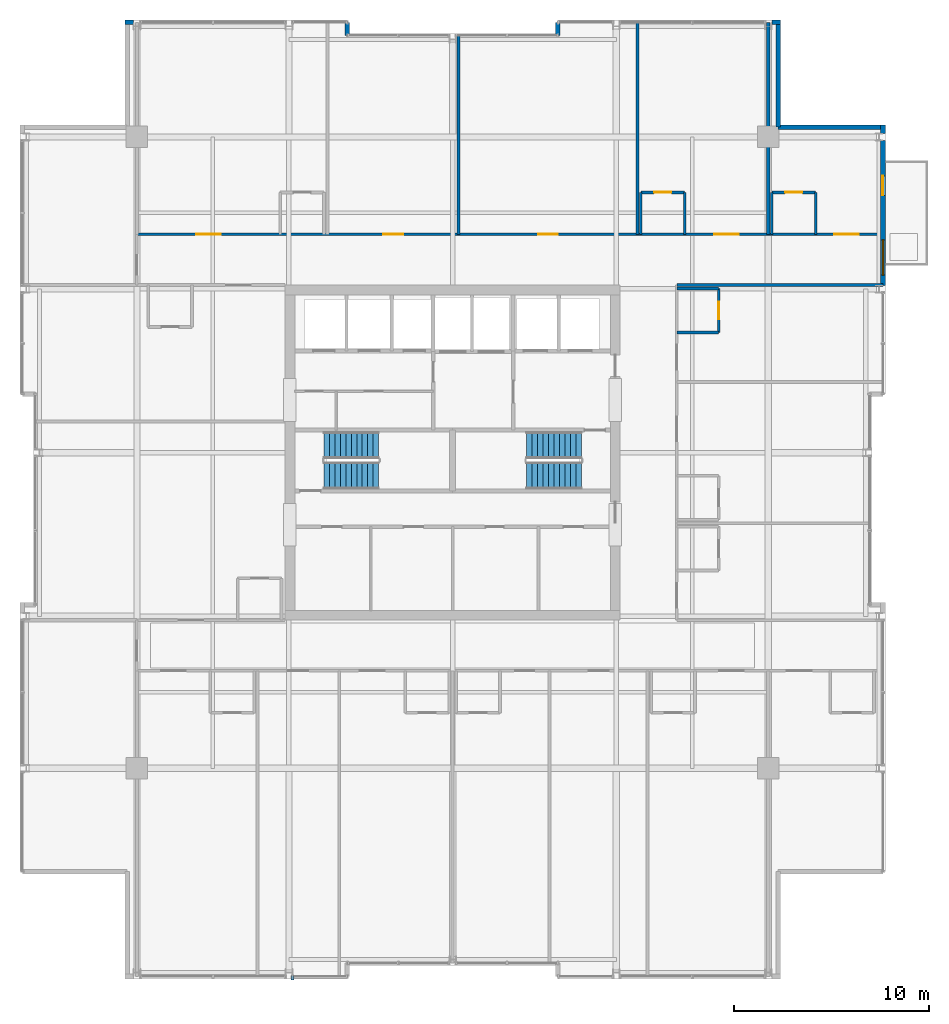
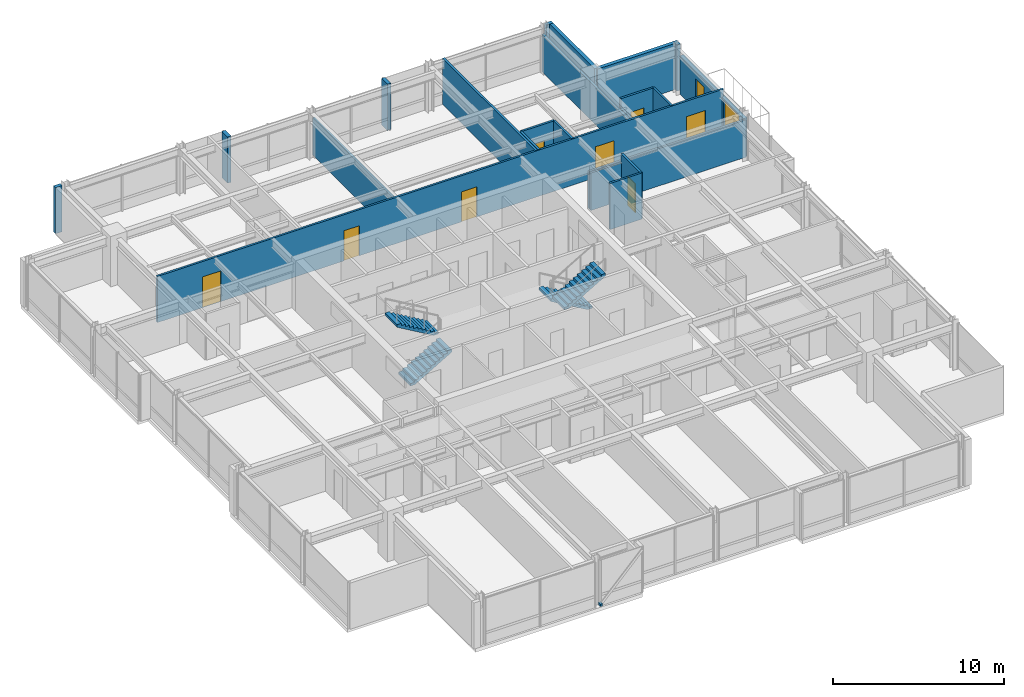
# One storey, part 31 of 34: 22 walls, 9 doors, 4 stair flights, 1 discrete accessory, 1 window, 10 openings, 2 elements without a shape of their own.
"""IFC4 building model written with IfcOpenShell, lengths in metres."""

from ifc_helpers import new_model, si_unit, direction, frame, frame_2d, origin, origin_2d, place, context, subcontext, project, spatial, polyline, rectangle, outline, extrude, material, layer, layer_set, type_object, element, fill, aggregate, save


model = new_model("IFC4")

# Units and contexts
model_context = context("Model", 3, precision=1e-05, world=origin(), true_north=direction((0.0, 1.0)))
body_context = subcontext(model_context, "Body", "Model", "MODEL_VIEW")
ifc_project = project(units=[si_unit("LENGTHUNIT", "METRE"), si_unit("AREAUNIT", "SQUARE_METRE"), si_unit("VOLUMEUNIT", "CUBIC_METRE"), si_unit("PLANEANGLEUNIT", "RADIAN"), si_unit("MASSUNIT", "GRAM", prefix="KILO")], contexts=[model_context])

# Site, building, storey
site_placement = place(None, origin())
site = spatial("IfcSite", under=ifc_project, at=site_placement, CompositionType="ELEMENT")
building_placement = place(site_placement, origin())
building = spatial("IfcBuilding", under=site, at=building_placement, Name="Drelvath Grand Hotel", CompositionType="ELEMENT")
storey_placement = place(building_placement, frame((0.0, 0.0, 251.89990234375)))
storey = spatial("IfcBuildingStorey", under=building, at=storey_placement, Name="L66", CompositionType="ELEMENT", Elevation=251.89990234375)

# Wall, openings, doors
ifc_material_1 = material(Name="Gypsum Fireboard Partition")
ifc_layer_1 = layer(ifc_material_1, 0.135009765625)
ifc_layer_set_1 = layer_set([ifc_layer_1], Name="Gypsum Fireboard Partition")
wall_type_1 = type_object("IfcWallType", Name="Corridor Fire Barrier Wall 135", PredefinedType="PARTITIONING", material=ifc_layer_set_1)
wall_1_placement = place(storey_placement, frame((-16.199951171875, 38.199951171875, 0.0), z_axis=(0.0, 0.0, 1.0), x_axis=(1.0, 0.0, 0.0)))
wall_1 = element("IfcWall", 1, at=wall_1_placement, inside=storey, type_object=wall_type_1, Name="L66 North Cross-Gallery Wall", PredefinedType="PARTITIONING", context=body_context, shape_type="SweptSolid", body=[
    extrude(rectangle(XDim=38.280029296875, YDim=0.135009765625, at=frame_2d((19.14013671875, 0.0))), origin(), (0.0, 0.0, 1.0), 3.300048828125),
])
opening_1_placement = place(wall_1_placement, frame((35.784912109375, 0.0, 0.0)))
opening_1 = element("IfcOpeningElement", 2, at=opening_1_placement, cuts=wall_1, Name="Opening D-T4G5-025", PredefinedType="OPENING", context=body_context, shape_type="SweptSolid", body=[
    extrude(rectangle(XDim=1.260009765625, YDim=2.199951171875, at=frame_2d((0.6298828125, 1.10009765625))), frame((0.0, 0.077392578125, 0.0), z_axis=(0.0, -1.0, 0.0), x_axis=(1.0, 0.0, 0.0)), (0.0, 0.0, 1.0), 0.155029296875),
])
opening_2_placement = place(wall_1_placement, frame((3.045654296875, 0.0, 0.0)))
opening_2 = element("IfcOpeningElement", 3, at=opening_2_placement, cuts=wall_1, Name="Opening D-T4G5-037", PredefinedType="OPENING", context=body_context, shape_type="SweptSolid", body=[
    extrude(rectangle(XDim=1.260009765625, YDim=2.199951171875, at=frame_2d((0.6298828125, 1.10009765625))), frame((0.0, 0.077392578125, 0.0), z_axis=(0.0, -1.0, 0.0), x_axis=(1.0, 0.0, 0.0)), (0.0, 0.0, 1.0), 0.155029296875),
])
opening_3_placement = place(wall_1_placement, frame((12.63330078125, 0.0, 0.0)))
opening_3 = element("IfcOpeningElement", 4, at=opening_3_placement, cuts=wall_1, Name="Opening D-T4G5-038", PredefinedType="OPENING", context=body_context, shape_type="SweptSolid", body=[
    extrude(rectangle(XDim=1.02001953125, YDim=2.14990234375, at=frame_2d((0.510009765625, 1.074951171875))), frame((0.0, 0.077392578125, 0.0), z_axis=(0.0, -1.0, 0.0), x_axis=(1.0, 0.0, 0.0)), (0.0, 0.0, 1.0), 0.155029296875),
])
opening_4_placement = place(wall_1_placement, frame((20.58056640625, 0.0, 0.0)))
opening_4 = element("IfcOpeningElement", 5, at=opening_4_placement, cuts=wall_1, Name="Opening D-T4G5-039", PredefinedType="OPENING", context=body_context, shape_type="SweptSolid", body=[
    extrude(rectangle(XDim=1.02001953125, YDim=2.14990234375, at=frame_2d((0.510009765625, 1.074951171875))), frame((0.0, 0.077392578125, 0.0), z_axis=(0.0, -1.0, 0.0), x_axis=(1.0, 0.0, 0.0)), (0.0, 0.0, 1.0), 0.155029296875),
])
opening_5_placement = place(wall_1_placement, frame((29.622802734375, 0.0, 0.0)))
opening_5 = element("IfcOpeningElement", 6, at=opening_5_placement, cuts=wall_1, Name="Opening D-T4G5-041", PredefinedType="OPENING", context=body_context, shape_type="SweptSolid", body=[
    extrude(rectangle(XDim=1.260009765625, YDim=2.199951171875, at=frame_2d((0.6298828125, 1.10009765625))), frame((0.0, 0.077392578125, 0.0), z_axis=(0.0, -1.0, 0.0), x_axis=(1.0, 0.0, 0.0)), (0.0, 0.0, 1.0), 0.155029296875),
])
ifc_material_2 = material(Name="Hardwood Walnut Timber", Category="wood")
door_type_1 = type_object("IfcDoorType", Name="Amenity Meeting Fire Door 1020x2150", OperationType="NOTDEFINED", PredefinedType="DOOR", material=ifc_material_2)
door_1_placement = place(opening_3_placement, origin())
door_1 = element("IfcDoor", 7, at=door_1_placement, inside=storey, type_object=door_type_1, Name="L66 Meeting Room Entry Door", OperationType="SINGLE_SWING_LEFT", OverallHeight=2.14990234375, OverallWidth=1.02001953125, PredefinedType="DOOR", context=body_context, shape_type="SweptSolid", body=[
    extrude(rectangle(XDim=1.02001953125, YDim=2.14990234375, at=frame_2d((0.510009765625, 1.074951171875))), frame((0.0, 0.02490234375, 0.0), z_axis=(0.0, -1.0, 0.0), x_axis=(1.0, 0.0, 0.0)), (0.0, 0.0, 1.0), 0.050048828125),
])
fill(opening_3, door_1)
door_2_placement = place(opening_4_placement, origin())
door_2 = element("IfcDoor", 8, at=door_2_placement, inside=storey, type_object=door_type_1, Name="L66 Tea Tasting Salon Entry Door", OperationType="SINGLE_SWING_RIGHT", OverallHeight=2.14990234375, OverallWidth=1.02001953125, PredefinedType="DOOR", context=body_context, shape_type="SweptSolid", body=[
    extrude(rectangle(XDim=1.02001953125, YDim=2.14990234375, at=frame_2d((0.510009765625, 1.074951171875))), frame((0.0, 0.02490234375, 0.0), z_axis=(0.0, -1.0, 0.0), x_axis=(1.0, 0.0, 0.0)), (0.0, 0.0, 1.0), 0.050048828125),
])
fill(opening_4, door_2)
door_type_2 = type_object("IfcDoorType", Name="Suite Entrance Fire Door 1260x2200", OperationType="NOTDEFINED", PredefinedType="DOOR", material=ifc_material_2)
door_3_placement = place(opening_1_placement, origin())
door_3 = element("IfcDoor", 9, at=door_3_placement, inside=storey, type_object=door_type_2, Name="L66 Diplomatic Suite Entry Door", OperationType="SINGLE_SWING_RIGHT", OverallHeight=2.199951171875, OverallWidth=1.260009765625, PredefinedType="DOOR", context=body_context, shape_type="SweptSolid", body=[
    extrude(rectangle(XDim=1.260009765625, YDim=2.199951171875, at=frame_2d((0.6298828125, 1.10009765625))), frame((0.0, 0.02490234375, 0.0), z_axis=(0.0, -1.0, 0.0), x_axis=(1.0, 0.0, 0.0)), (0.0, 0.0, 1.0), 0.050048828125),
])
fill(opening_1, door_3)
door_4_placement = place(opening_2_placement, origin())
door_4 = element("IfcDoor", 10, at=door_4_placement, inside=storey, type_object=door_type_2, Name="L66 Diplomatic Suite Entry Door", OperationType="SINGLE_SWING_RIGHT", OverallHeight=2.199951171875, OverallWidth=1.260009765625, PredefinedType="DOOR", context=body_context, shape_type="SweptSolid", body=[
    extrude(rectangle(XDim=1.260009765625, YDim=2.199951171875, at=frame_2d((0.6298828125, 1.10009765625))), frame((0.0, 0.02490234375, 0.0), z_axis=(0.0, -1.0, 0.0), x_axis=(1.0, 0.0, 0.0)), (0.0, 0.0, 1.0), 0.050048828125),
])
fill(opening_2, door_4)
door_5_placement = place(opening_5_placement, origin())
door_5 = element("IfcDoor", 11, at=door_5_placement, inside=storey, type_object=door_type_2, Name="L66 Diplomatic Suite Entry Door", OperationType="SINGLE_SWING_RIGHT", OverallHeight=2.199951171875, OverallWidth=1.260009765625, PredefinedType="DOOR", context=body_context, shape_type="SweptSolid", body=[
    extrude(rectangle(XDim=1.260009765625, YDim=2.199951171875, at=frame_2d((0.6298828125, 1.10009765625))), frame((0.0, 0.02490234375, 0.0), z_axis=(0.0, -1.0, 0.0), x_axis=(1.0, 0.0, 0.0)), (0.0, 0.0, 1.0), 0.050048828125),
])
fill(opening_5, door_5)

# Walls
wall_2_placement = place(storey_placement, frame((11.5, 35.60009765625, 0.0), z_axis=(0.0, 0.0, 1.0), x_axis=(1.0, 0.0, 0.0)))
element("IfcWall", 12, at=wall_2_placement, inside=storey, type_object=wall_type_1, Name="L66 North Gallery Inner East Wall", PredefinedType="PARTITIONING", context=body_context, shape_type="SweptSolid", body=[
    extrude(rectangle(XDim=10.580078125, YDim=0.135009765625, at=frame_2d((5.2900390625, 0.0))), origin(), (0.0, 0.0, 1.0), 2.677490234375),
])
ifc_material_3 = material(Name="Moisture-Resistant Gypsum Board")
ifc_layer_2 = layer(ifc_material_3, 0.139892578125)
ifc_layer_set_2 = layer_set([ifc_layer_2], Name="Moisture-Resistant Gypsum Board")
wall_type_2 = type_object("IfcWallType", Name="En-Suite Plumbing Wall 140", PredefinedType="PLUMBINGWALL", material=ifc_layer_set_2)
wall_3_placement = place(storey_placement, frame((16.3798828125, 38.199951171875, 0.0), z_axis=(0.0, 0.0, 1.0), x_axis=(0.0, 1.0, 0.0)))
element("IfcWall", 13, at=wall_3_placement, inside=storey, type_object=wall_type_2, Name="L66 En-Suite Left Wall", PredefinedType="PLUMBINGWALL", context=body_context, shape_type="SweptSolid", body=[
    extrude(rectangle(XDim=2.150146484375, YDim=0.139892578125, at=frame_2d((1.0751953125, 0.0))), origin(), (0.0, 0.0, 1.0), 2.673828125),
])
wall_4_placement = place(storey_placement, frame((18.6298828125, 38.199951171875, 0.0), z_axis=(0.0, 0.0, 1.0), x_axis=(0.0, 1.0, 0.0)))
element("IfcWall", 14, at=wall_4_placement, inside=storey, type_object=wall_type_2, Name="L66 En-Suite Right Wall", PredefinedType="PLUMBINGWALL", context=body_context, shape_type="SweptSolid", body=[
    extrude(rectangle(XDim=2.150146484375, YDim=0.139892578125, at=frame_2d((1.0751953125, 0.0))), origin(), (0.0, 0.0, 1.0), 3.300048828125),
])

# Wall, opening, door
wall_5_placement = place(storey_placement, frame((16.3798828125, 40.35009765625, 0.0), z_axis=(0.0, 0.0, 1.0), x_axis=(1.0, 0.0, 0.0)))
wall_5 = element("IfcWall", 15, at=wall_5_placement, inside=storey, type_object=wall_type_2, Name="L66 En-Suite Front Wall", PredefinedType="PLUMBINGWALL", context=body_context, shape_type="SweptSolid", body=[
    extrude(rectangle(XDim=2.25, YDim=0.139892578125, at=frame_2d((1.125, 0.0))), origin(), (0.0, 0.0, 1.0), 3.300048828125),
])
opening_6_placement = place(wall_5_placement, frame((0.68505859375, 0.0, 0.0)))
opening_6 = element("IfcOpeningElement", 16, at=opening_6_placement, cuts=wall_5, Name="Opening D-T4G5-024", PredefinedType="OPENING", context=body_context, shape_type="SweptSolid", body=[
    extrude(rectangle(XDim=0.8798828125, YDim=2.10009765625, at=frame_2d((0.43994140625, 1.050048828125))), frame((0.0, 0.079833984375, 0.0), z_axis=(0.0, -1.0, 0.0), x_axis=(1.0, 0.0, 0.0)), (0.0, 0.0, 1.0), 0.159912109375),
])
door_type_3 = type_object("IfcDoorType", Name="En-Suite Bathroom Door 880x2100", OperationType="NOTDEFINED", PredefinedType="DOOR", material=ifc_material_2)
door_6_placement = place(opening_6_placement, origin())
door_6 = element("IfcDoor", 17, at=door_6_placement, inside=storey, type_object=door_type_3, Name="L66 En-Suite Bathroom Door", OperationType="SINGLE_SWING_LEFT", OverallHeight=2.10009765625, OverallWidth=0.8798828125, PredefinedType="DOOR", context=body_context, shape_type="SweptSolid", body=[
    extrude(rectangle(XDim=0.8798828125, YDim=2.10009765625, at=frame_2d((0.43994140625, 1.050048828125))), frame((0.0, 0.02490234375, 0.0), z_axis=(0.0, -1.0, 0.0), x_axis=(1.0, 0.0, 0.0)), (0.0, 0.0, 1.0), 0.050048828125),
])
fill(opening_6, door_6)

# Walls
for number, where, z_axis, x_axis, name in (
    (18, (9.655517578125, 38.199951171875, 0.0), (0.0, 0.0, 1.0), (0.0, 1.0, 0.0), "L66 En-Suite Left Wall"),
    (19, (11.905517578125, 38.199951171875, 0.0), (0.0, 0.0, 1.0), (0.0, 1.0, 0.0), "L66 En-Suite Right Wall"),
):
    element("IfcWall", number, at=place(storey_placement, frame(where, z_axis=z_axis, x_axis=x_axis)), inside=storey, type_object=wall_type_2, Name=name, PredefinedType="PLUMBINGWALL", context=body_context, shape_type="SweptSolid", body=[
        extrude(rectangle(XDim=2.150146484375, YDim=0.139892578125, at=frame_2d((1.0751953125, 0.0))), origin(), (0.0, 0.0, 1.0), 3.300048828125),
    ])

# Wall, opening, door
wall_6_placement = place(storey_placement, frame((9.655517578125, 40.35009765625, 0.0), z_axis=(0.0, 0.0, 1.0), x_axis=(1.0, 0.0, 0.0)))
wall_6 = element("IfcWall", 20, at=wall_6_placement, inside=storey, type_object=wall_type_2, Name="L66 En-Suite Front Wall", PredefinedType="PLUMBINGWALL", context=body_context, shape_type="SweptSolid", body=[
    extrude(rectangle(XDim=2.25, YDim=0.139892578125, at=frame_2d((1.125, 0.0))), origin(), (0.0, 0.0, 1.0), 3.300048828125),
])
opening_7_placement = place(wall_6_placement, frame((0.68505859375, 0.0, 0.0)))
opening_7 = element("IfcOpeningElement", 21, at=opening_7_placement, cuts=wall_6, Name="Opening D-T4G5-040", PredefinedType="OPENING", context=body_context, shape_type="SweptSolid", body=[
    extrude(rectangle(XDim=0.8798828125, YDim=2.10009765625, at=frame_2d((0.43994140625, 1.050048828125))), frame((0.0, 0.079833984375, 0.0), z_axis=(0.0, -1.0, 0.0), x_axis=(1.0, 0.0, 0.0)), (0.0, 0.0, 1.0), 0.159912109375),
])
door_7_placement = place(opening_7_placement, origin())
door_7 = element("IfcDoor", 22, at=door_7_placement, inside=storey, type_object=door_type_3, Name="L66 En-Suite Bathroom Door", OperationType="SINGLE_SWING_LEFT", OverallHeight=2.10009765625, OverallWidth=0.8798828125, PredefinedType="DOOR", context=body_context, shape_type="SweptSolid", body=[
    extrude(rectangle(XDim=0.8798828125, YDim=2.10009765625, at=frame_2d((0.43994140625, 1.050048828125))), frame((0.0, 0.02490234375, 0.0), z_axis=(0.0, -1.0, 0.0), x_axis=(1.0, 0.0, 0.0)), (0.0, 0.0, 1.0), 0.050048828125),
])
fill(opening_7, door_7)

# Walls
wall_7_placement = place(storey_placement, frame((11.5, 33.169921875, 0.0), z_axis=(0.0, 0.0, 1.0), x_axis=(1.0, 0.0, 0.0)))
element("IfcWall", 23, at=wall_7_placement, inside=storey, type_object=wall_type_2, Name="L66 En-Suite Left Wall", PredefinedType="PLUMBINGWALL", context=body_context, shape_type="SweptSolid", body=[
    extrude(rectangle(XDim=2.14990234375, YDim=0.139892578125, at=frame_2d((1.074951171875, 0.0))), origin(), (0.0, 0.0, 1.0), 3.300048828125),
])
wall_8_placement = place(storey_placement, frame((11.5, 35.419921875, 0.0), z_axis=(0.0, 0.0, 1.0), x_axis=(1.0, 0.0, 0.0)))
element("IfcWall", 24, at=wall_8_placement, inside=storey, type_object=wall_type_2, Name="L66 En-Suite Right Wall", PredefinedType="PLUMBINGWALL", context=body_context, shape_type="SweptSolid", body=[
    extrude(rectangle(XDim=2.14990234375, YDim=0.139892578125, at=frame_2d((1.074951171875, 0.0))), origin(), (0.0, 0.0, 1.0), 2.677490234375),
])

# Wall, opening, door
wall_9_placement = place(storey_placement, frame((13.64990234375, 33.169921875, 0.0), z_axis=(0.0, 0.0, 1.0), x_axis=(0.0, 1.0, 0.0)))
wall_9 = element("IfcWall", 25, at=wall_9_placement, inside=storey, type_object=wall_type_2, Name="L66 En-Suite Front Wall", PredefinedType="PLUMBINGWALL", context=body_context, shape_type="SweptSolid", body=[
    extrude(rectangle(XDim=2.25, YDim=0.139892578125, at=frame_2d((1.125, 0.0))), origin(), (0.0, 0.0, 1.0), 3.300048828125),
])
opening_8_placement = place(wall_9_placement, frame((0.68505859375, 0.0, 0.0)))
opening_8 = element("IfcOpeningElement", 26, at=opening_8_placement, cuts=wall_9, Name="Opening D-T4G5-046", PredefinedType="OPENING", context=body_context, shape_type="SweptSolid", body=[
    extrude(rectangle(XDim=0.8798828125, YDim=2.10009765625, at=frame_2d((0.43994140625, 1.050048828125))), frame((0.0, 0.079833984375, 0.0), z_axis=(0.0, -1.0, 0.0), x_axis=(1.0, 0.0, 0.0)), (0.0, 0.0, 1.0), 0.159912109375),
])
door_8_placement = place(opening_8_placement, origin())
door_8 = element("IfcDoor", 27, at=door_8_placement, inside=storey, type_object=door_type_3, Name="L66 En-Suite Bathroom Door", OperationType="SINGLE_SWING_LEFT", OverallHeight=2.10009765625, OverallWidth=0.8798828125, PredefinedType="DOOR", context=body_context, shape_type="SweptSolid", body=[
    extrude(rectangle(XDim=0.8798828125, YDim=2.10009765625, at=frame_2d((0.43994140625, 1.050048828125))), frame((0.0, 0.02490234375, 0.0), z_axis=(0.0, -1.0, 0.0), x_axis=(1.0, 0.0, 0.0)), (0.0, 0.0, 1.0), 0.050048828125),
])
fill(opening_8, door_8)

# Walls
ifc_material_4 = material(Name="Gypsum Acoustic Partition")
ifc_layer_3 = layer(ifc_material_4, 0.14990234375)
ifc_layer_set_3 = layer_set([ifc_layer_3], Name="Gypsum Acoustic Partition")
wall_type_3 = type_object("IfcWallType", Name="Guestroom Demising Wall 150", PredefinedType="PARTITIONING", material=ifc_layer_set_3)
wall_10_placement = place(storey_placement, frame((0.3056640625, 38.199951171875, 0.0), z_axis=(0.0, 0.0, 1.0), x_axis=(0.0, 1.0, 0.0)))
element("IfcWall", 28, at=wall_10_placement, inside=storey, type_object=wall_type_3, Name="L66 North Demising 2", PredefinedType="PARTITIONING", context=body_context, shape_type="SweptSolid", body=[
    extrude(rectangle(XDim=10.199951171875, YDim=0.14990234375, at=frame_2d((5.10009765625, 0.0))), origin(), (0.0, 0.0, 1.0), 2.673828125),
])
wall_11_placement = place(storey_placement, frame((9.4755859375, 38.199951171875, 0.0), z_axis=(0.0, 0.0, 1.0), x_axis=(0.0, 1.0, 0.0)))
element("IfcWall", 29, at=wall_11_placement, inside=storey, type_object=wall_type_3, Name="L66 North Demising 3", PredefinedType="PARTITIONING", context=body_context, shape_type="SweptSolid", body=[
    extrude(rectangle(XDim=10.880126953125, YDim=0.14990234375, at=frame_2d((5.43994140625, 0.0))), origin(), (0.0, 0.0, 1.0), 3.300048828125),
])
ifc_layer_4 = layer(ifc_material_4, 0.1650390625)
ifc_layer_set_4 = layer_set([ifc_layer_4], Name="Gypsum Acoustic Partition")
wall_type_4 = type_object("IfcWallType", Name="Suite Demising Wall 165", PredefinedType="PARTITIONING", material=ifc_layer_set_4)
wall_12_placement = place(storey_placement, frame((16.199951171875, 38.199951171875, 0.0), z_axis=(0.0, 0.0, 1.0), x_axis=(0.0, 1.0, 0.0)))
element("IfcWall", 30, at=wall_12_placement, inside=storey, type_object=wall_type_4, Name="L66 NE Suite Wall", PredefinedType="PARTITIONING", context=body_context, shape_type="SweptSolid", body=[
    extrude(rectangle(XDim=10.880126953125, YDim=0.1650390625, at=frame_2d((5.43994140625, 0.0))), origin(), (0.0, 0.0, 1.0), 2.673828125),
])

# Wall, openings, window, door
ifc_material_5 = material(Name="Pale-Metal Insulated Aluminium Spandrel Assembly", Category="aluminium")
ifc_layer_5 = layer(ifc_material_5, 0.239990234375)
ifc_layer_set_5 = layer_set([ifc_layer_5], Name="Pale-Metal Insulated Aluminium Spandrel Assembly")
wall_type_5 = type_object("IfcWallType", Name="Tower Insulated Metal Spandrel Closure Wall 240", PredefinedType="STANDARD", material=ifc_layer_set_5)
wall_13_placement = place(storey_placement, frame((22.080078125, 43.021728515625, 0.0), z_axis=(0.0, 0.0, 1.0), x_axis=(0.0, -1.0, 0.0)))
wall_13 = element("IfcWall", 31, at=wall_13_placement, inside=storey, type_object=wall_type_5, Name="L66 Exterior Terrace Door Bay Wall EN2", PredefinedType="STANDARD", context=body_context, shape_type="SweptSolid", body=[
    extrude(rectangle(XDim=7.443603515625, YDim=0.239990234375, at=frame_2d((3.7216796875, 0.0))), origin(), (0.0, 0.0, 1.0), 2.763427734375),
])
opening_9_placement = place(wall_13_placement, frame((1.82177734375, 0.0, 0.0)))
opening_9 = element("IfcOpeningElement", 32, at=opening_9_placement, cuts=wall_13, Name="Opening TD-1000", PredefinedType="OPENING", context=body_context, shape_type="SweptSolid", body=[
    extrude(rectangle(XDim=1.0, YDim=2.199951171875, at=frame_2d((0.5, 1.10009765625))), frame((0.0, 0.1298828125, 0.0), z_axis=(0.0, -1.0, 0.0), x_axis=(1.0, 0.0, 0.0)), (0.0, 0.0, 1.0), 0.260009765625),
])
opening_10_placement = place(wall_13_placement, frame((5.106689453125, 0.0, 0.75)))
opening_10 = element("IfcOpeningElement", 33, at=opening_10_placement, cuts=wall_13, Name="Opening W-02", PredefinedType="OPENING", context=body_context, shape_type="SweptSolid", body=[
    extrude(rectangle(XDim=1.800048828125, YDim=1.913330078125, at=frame_2d((0.89990234375, 0.95654296875))), frame((0.0, 0.1298828125, 0.0), z_axis=(0.0, -1.0, 0.0), x_axis=(1.0, 0.0, 0.0)), (0.0, 0.0, 1.0), 0.260009765625),
])
ifc_material_6 = material(Name="Bronze Anodised Low-E Triple Glazing", Category="glass")
window_type = type_object("IfcWindowType", Name="Chicago Double-Pane Podium Window 1800x2400", PartitioningType="DOUBLE_PANEL_VERTICAL", PredefinedType="WINDOW", material=ifc_material_6)
window_placement = place(opening_10_placement, origin())
window = element("IfcWindow", 34, at=window_placement, inside=storey, type_object=window_type, Name="L66 Terrace Bay Companion Window EN2", OverallHeight=1.913330078125, OverallWidth=1.800048828125, PartitioningType="SINGLE_PANEL", PredefinedType="WINDOW", context=body_context, shape_type="SweptSolid", body=[
    extrude(rectangle(XDim=1.800048828125, YDim=1.913330078125, at=frame_2d((0.89990234375, 0.95654296875))), frame((0.0, 0.030029296875, 0.0), z_axis=(0.0, -1.0, 0.0), x_axis=(1.0, 0.0, 0.0)), (0.0, 0.0, 1.0), 0.06005859375),
])
fill(opening_10, window)
ifc_material_7 = material(Name="Anodised Aluminium Thermally Broken Glazed Door", Category="aluminium")
door_type_4 = type_object("IfcDoorType", Name="Terrace and Tree Balcony Glazed Door 1000x2200", OperationType="NOTDEFINED", PredefinedType="DOOR", material=ifc_material_7)
door_9_placement = place(opening_9_placement, origin())
door_9 = element("IfcDoor", 35, at=door_9_placement, inside=storey, type_object=door_type_4, Name="L66 Tree Balcony Door DOOR-L66-TBAL-1", OperationType="SINGLE_SWING_LEFT", OverallHeight=2.199951171875, OverallWidth=1.0, PredefinedType="DOOR", context=body_context, shape_type="SweptSolid", body=[
    extrude(rectangle(XDim=1.0, YDim=2.199951171875, at=frame_2d((0.5, 1.10009765625))), frame((0.0, 0.02490234375, 0.0), z_axis=(0.0, -1.0, 0.0), x_axis=(1.0, 0.0, 0.0)), (0.0, 0.0, 1.0), 0.050048828125),
])
fill(opening_9, door_9)

# Walls
for number, where, z_axis, x_axis, name in (
    (36, (22.080078125, 43.820068359375, 0.0), (0.0, 0.0, 1.0), (0.0, -1.0, 0.0), "L66 Corner Pier Spandrel Wall EN3"),
    (37, (-16.820068359375, 49.080078125, 0.0), (0.0, 0.0, 1.0), (1.0, 0.0, 0.0), "L66 Corner Pier Spandrel Wall NW1"),
    (38, (16.378173828125, 49.080078125, 0.0), (0.0, 0.0, 1.0), (1.0, 0.0, 0.0), "L66 Corner Pier Spandrel Wall NE3"),
):
    element("IfcWall", number, at=place(storey_placement, frame(where, z_axis=z_axis, x_axis=x_axis)), inside=storey, type_object=wall_type_5, Name=name, PredefinedType="STANDARD", context=body_context, shape_type="SweptSolid", body=[
        extrude(rectangle(XDim=0.44189453125, YDim=0.239990234375, at=frame_2d((0.220947265625, 0.0))), origin(), (0.0, 0.0, 1.0), 3.300048828125),
    ])
for number, where, z_axis, x_axis, name in (
    (39, (16.699951171875, 48.9599609375, 0.0), (0.0, 0.0, 1.0), (0.0, -1.0, 0.0), "L66 Notched Corner Return Spandrel Wall CNE1"),
    (40, (16.699951171875, 43.699951171875, 0.0), (0.0, 0.0, 1.0), (1.0, 0.0, 0.0), "L66 Notched Corner Return Spandrel Wall CNE2"),
):
    element("IfcWall", number, at=place(storey_placement, frame(where, z_axis=z_axis, x_axis=x_axis)), inside=storey, type_object=wall_type_5, Name=name, PredefinedType="STANDARD", context=body_context, shape_type="SweptSolid", body=[
        extrude(rectangle(XDim=5.260009765625, YDim=0.239990234375, at=frame_2d((2.6298828125, 0.0))), origin(), (0.0, 0.0, 1.0), 3.300048828125),
    ])
for number, where, z_axis, x_axis, name in (
    (41, (-5.39990234375, 49.080078125, 0.0), (0.0, 0.0, 1.0), (0.0, -1.0, 0.0), "L66 Notched Corner Return Spandrel Wall RN1"),
    (42, (5.39990234375, 48.39990234375, 0.0), (0.0, 0.0, 1.0), (0.0, 1.0, 0.0), "L66 Notched Corner Return Spandrel Wall RN2"),
):
    element("IfcWall", number, at=place(storey_placement, frame(where, z_axis=z_axis, x_axis=x_axis)), inside=storey, type_object=wall_type_5, Name=name, PredefinedType="STANDARD", context=body_context, shape_type="SweptSolid", body=[
        extrude(rectangle(XDim=0.68017578125, YDim=0.239990234375, at=frame_2d((0.340087890625, 0.0))), origin(), (0.0, 0.0, 1.0), 3.300048828125),
    ])

# Stair, stair flights
ifc_material_8 = material(Name="Concrete C40/50", Category="concrete")
stair_type = type_object("IfcStairType", Name="Dogleg Exit Stair W1400-R163.6", PredefinedType="HALF_TURN_STAIR", material=ifc_material_8)
stair_1_placement = place(storey_placement, origin())
stair_1 = element("IfcStair", 43, at=stair_1_placement, inside=storey, type_object=stair_type, Name="L66 Core Exit Stair ST-1", PredefinedType="HALF_TURN_STAIR")
stair_flight_type = type_object("IfcStairFlightType", Name="Concrete Stair Flight W1400-R163.6", PredefinedType="STRAIGHT", material=ifc_material_8)
stair_flight_1_placement = place(storey_placement, frame((-6.60009765625, 25.820068359375, 0.0), z_axis=(0.0, 0.0, 1.0), x_axis=(1.0, 0.0, 0.0)))
stair_flight_1 = element("IfcStairFlight", 44, at=stair_flight_1_placement, type_object=stair_flight_type, Name="ST-1 flight 1", NumberOfRisers=11, NumberOfTreads=10, PredefinedType="STRAIGHT", RiserHeight=0.163636364, TreadLength=0.28, context=body_context, shape_type="SweptSolid", body=[
    extrude(outline(polyline([(0.0, 0.0), (0.0, 0.16357421875), (0.280029296875, 0.16357421875), (0.280029296875, 0.327392578125), (0.56005859375, 0.327392578125), (0.56005859375, 0.490966796875), (0.840087890625, 0.490966796875), (0.840087890625, 0.654541015625), (1.1201171875, 0.654541015625), (1.1201171875, 0.818115234375), (1.39990234375, 0.818115234375), (1.39990234375, 0.98193359375), (1.679931640625, 0.98193359375), (1.679931640625, 1.1455078125), (1.9599609375, 1.1455078125), (1.9599609375, 1.30908203125), (2.239990234375, 1.30908203125), (2.239990234375, 1.47265625), (2.52001953125, 1.47265625), (2.52001953125, 1.636474609375), (2.800048828125, 1.636474609375), (2.800048828125, 1.800048828125), (2.800048828125, 1.451171875), (0.31689453125, 0.0), (0.0, 0.0)])), frame((0.0, 0.699951171875, 0.0), z_axis=(0.0, -1.0, 0.0), x_axis=(1.0, 0.0, 0.0)), (0.0, 0.0, 1.0), 1.39990234375),
])
stair_flight_2_placement = place(storey_placement, frame((-3.800048828125, 27.3798828125, 1.800048828125), z_axis=(0.0, 0.0, 1.0), x_axis=(-1.0, 0.0, 0.0)))
stair_flight_2 = element("IfcStairFlight", 45, at=stair_flight_2_placement, type_object=stair_flight_type, Name="ST-1 flight 2", NumberOfRisers=11, NumberOfTreads=10, PredefinedType="STRAIGHT", RiserHeight=0.163636364, TreadLength=0.28, context=body_context, shape_type="SweptSolid", body=[
    extrude(outline(polyline([(0.0, 0.0), (0.0, 0.16357421875), (0.280029296875, 0.16357421875), (0.280029296875, 0.327392578125), (0.56005859375, 0.327392578125), (0.56005859375, 0.490966796875), (0.840087890625, 0.490966796875), (0.840087890625, 0.654541015625), (1.1201171875, 0.654541015625), (1.1201171875, 0.818115234375), (1.39990234375, 0.818115234375), (1.39990234375, 0.98193359375), (1.679931640625, 0.98193359375), (1.679931640625, 1.1455078125), (1.9599609375, 1.1455078125), (1.9599609375, 1.30908203125), (2.239990234375, 1.30908203125), (2.239990234375, 1.47265625), (2.52001953125, 1.47265625), (2.52001953125, 1.636474609375), (2.800048828125, 1.636474609375), (2.800048828125, 1.800048828125), (2.800048828125, 1.451171875), (0.31689453125, 0.0), (0.0, 0.0)])), frame((0.0, 0.699951171875, 0.0), z_axis=(0.0, -1.0, 0.0), x_axis=(1.0, 0.0, 0.0)), (0.0, 0.0, 1.0), 1.39990234375),
])
aggregate(stair_1, [stair_flight_1, stair_flight_2])

stair_2_placement = place(storey_placement, origin())
stair_2 = element("IfcStair", 46, at=stair_2_placement, inside=storey, type_object=stair_type, Name="L66 Core Exit Stair ST-2", PredefinedType="HALF_TURN_STAIR")
stair_flight_3_placement = place(storey_placement, frame((6.60009765625, 27.3798828125, 0.0), z_axis=(0.0, 0.0, 1.0), x_axis=(-1.0, 0.0, 0.0)))
stair_flight_3 = element("IfcStairFlight", 47, at=stair_flight_3_placement, type_object=stair_flight_type, Name="ST-2 flight 1", NumberOfRisers=11, NumberOfTreads=10, PredefinedType="STRAIGHT", RiserHeight=0.163636364, TreadLength=0.28, context=body_context, shape_type="SweptSolid", body=[
    extrude(outline(polyline([(0.0, 0.0), (0.0, 0.16357421875), (0.280029296875, 0.16357421875), (0.280029296875, 0.327392578125), (0.56005859375, 0.327392578125), (0.56005859375, 0.490966796875), (0.840087890625, 0.490966796875), (0.840087890625, 0.654541015625), (1.1201171875, 0.654541015625), (1.1201171875, 0.818115234375), (1.39990234375, 0.818115234375), (1.39990234375, 0.98193359375), (1.679931640625, 0.98193359375), (1.679931640625, 1.1455078125), (1.9599609375, 1.1455078125), (1.9599609375, 1.30908203125), (2.239990234375, 1.30908203125), (2.239990234375, 1.47265625), (2.52001953125, 1.47265625), (2.52001953125, 1.636474609375), (2.800048828125, 1.636474609375), (2.800048828125, 1.800048828125), (2.800048828125, 1.451171875), (0.31689453125, 0.0), (0.0, 0.0)])), frame((0.0, 0.699951171875, 0.0), z_axis=(0.0, -1.0, 0.0), x_axis=(1.0, 0.0, 0.0)), (0.0, 0.0, 1.0), 1.39990234375),
])
stair_flight_4_placement = place(storey_placement, frame((3.800048828125, 25.820068359375, 1.800048828125), z_axis=(0.0, 0.0, 1.0), x_axis=(1.0, 0.0, 0.0)))
stair_flight_4 = element("IfcStairFlight", 48, at=stair_flight_4_placement, type_object=stair_flight_type, Name="ST-2 flight 2", NumberOfRisers=11, NumberOfTreads=10, PredefinedType="STRAIGHT", RiserHeight=0.163636364, TreadLength=0.28, context=body_context, shape_type="SweptSolid", body=[
    extrude(outline(polyline([(0.0, 0.0), (0.0, 0.16357421875), (0.280029296875, 0.16357421875), (0.280029296875, 0.327392578125), (0.56005859375, 0.327392578125), (0.56005859375, 0.490966796875), (0.840087890625, 0.490966796875), (0.840087890625, 0.654541015625), (1.1201171875, 0.654541015625), (1.1201171875, 0.818115234375), (1.39990234375, 0.818115234375), (1.39990234375, 0.98193359375), (1.679931640625, 0.98193359375), (1.679931640625, 1.1455078125), (1.9599609375, 1.1455078125), (1.9599609375, 1.30908203125), (2.239990234375, 1.30908203125), (2.239990234375, 1.47265625), (2.52001953125, 1.47265625), (2.52001953125, 1.636474609375), (2.800048828125, 1.636474609375), (2.800048828125, 1.800048828125), (2.800048828125, 1.451171875), (0.31689453125, 0.0), (0.0, 0.0)])), frame((0.0, 0.699951171875, 0.0), z_axis=(0.0, -1.0, 0.0), x_axis=(1.0, 0.0, 0.0)), (0.0, 0.0, 1.0), 1.39990234375),
])
aggregate(stair_2, [stair_flight_3, stair_flight_4])

# Discrete accessory
ifc_material_9 = material(Name="Stainless Steel Grade 316", Category="steel")
discrete_accessory_type = type_object("IfcDiscreteAccessoryType", Name="Curtain Wall Fin Mounting Bracket Cleat", PredefinedType="BRACKET", material=ifc_material_9)
discrete_accessory_placement = place(storey_placement, frame((-8.2216796875, 0.06005859375, 0.10009765625), z_axis=(0.0, 0.0, 1.0), x_axis=(-1.0, 0.0, 0.0)))
element("IfcDiscreteAccessory", 49, at=discrete_accessory_placement, inside=storey, type_object=discrete_accessory_type, Name="L66 Fin Mounting Bracket CW05-L66-SW3-1", PredefinedType="BRACKET", context=body_context, shape_type="SweptSolid", body=[
    extrude(rectangle(XDim=0.159912109375, YDim=0.239990234375, at=origin_2d()), origin(), (0.0, 0.0, 1.0), 0.159912109375),
])

save(model, "model.ifc")
